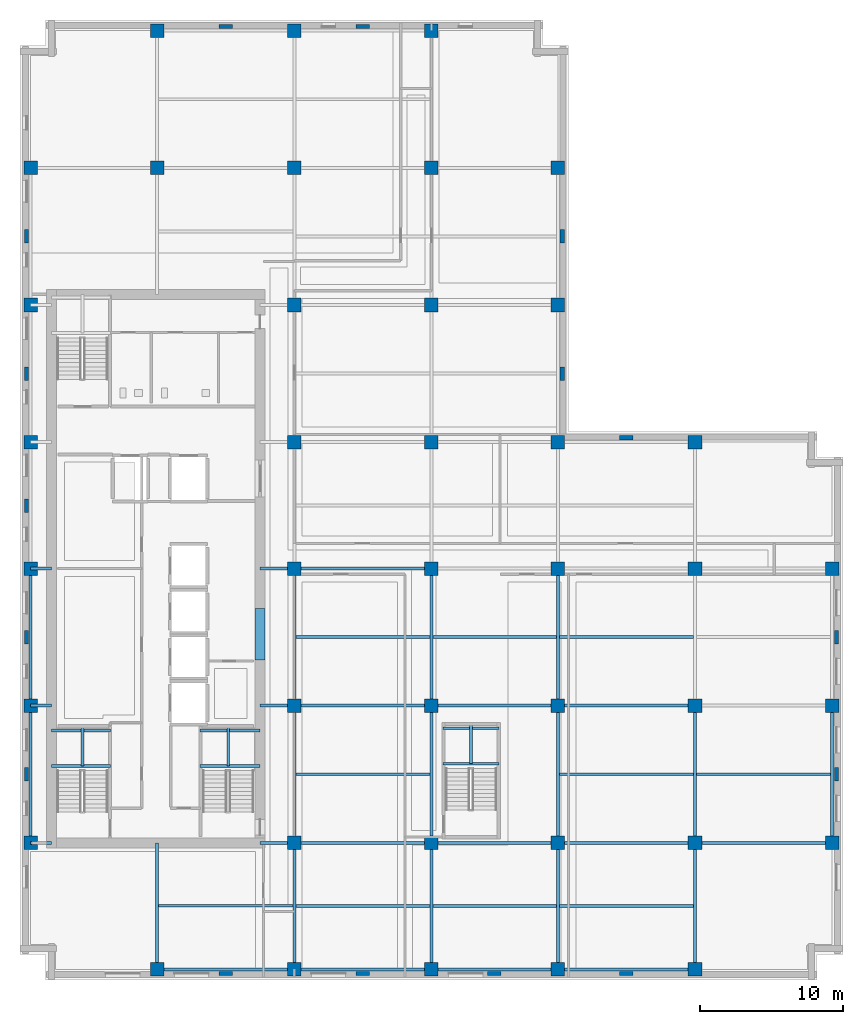
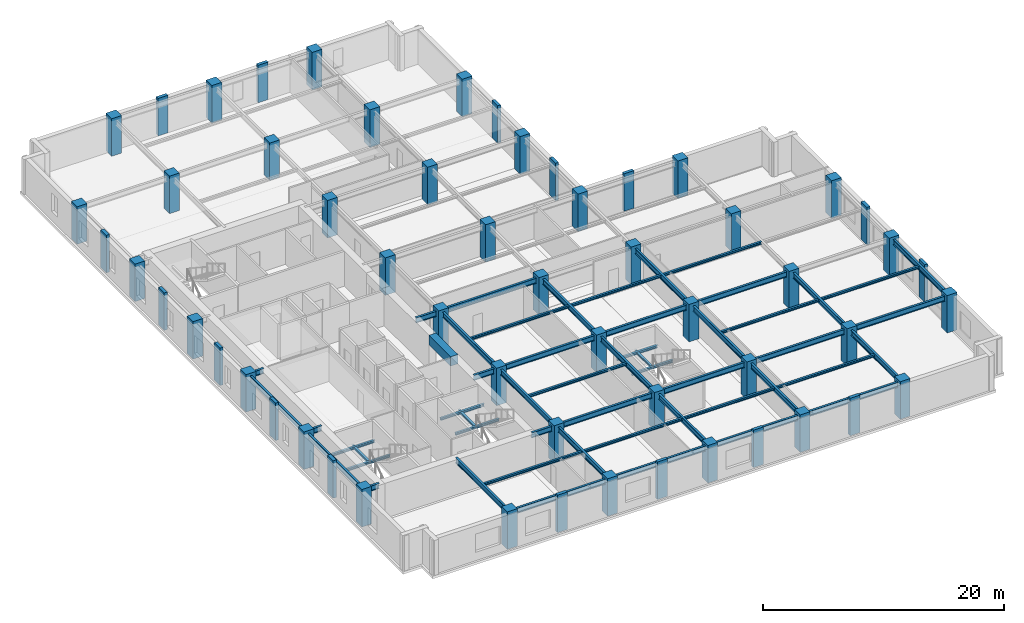
# One storey, part 1 of 12: 56 columns, 53 beams.
"""IFC4 building model written with IfcOpenShell, lengths in metres."""

from ifc_helpers import new_model, si_unit, direction, frame, origin, origin_2d, place, context, subcontext, project, spatial, rectangle, i_section, extrude, material, material_profile, profile_set, type_object, element, save


model = new_model("IFC4")

# Units and contexts
model_context = context("Model", 3, precision=1e-05, world=origin(), true_north=direction((0.0, 1.0)))
body_context = subcontext(model_context, "Body", "Model", "MODEL_VIEW")
ifc_project = project(units=[si_unit("LENGTHUNIT", "METRE"), si_unit("AREAUNIT", "SQUARE_METRE"), si_unit("VOLUMEUNIT", "CUBIC_METRE"), si_unit("PLANEANGLEUNIT", "RADIAN"), si_unit("MASSUNIT", "GRAM", prefix="KILO")], contexts=[model_context])

# Site, building, storey
site_placement = place(None, origin())
site = spatial("IfcSite", under=ifc_project, at=site_placement, CompositionType="ELEMENT")
building_placement = place(site_placement, origin())
building = spatial("IfcBuilding", under=site, at=building_placement, Name="Norrvale University Quadrangle", CompositionType="ELEMENT")
storey_placement = place(building_placement, frame((0.0, 0.0, 186.39990234375)))
storey = spatial("IfcBuildingStorey", under=building, at=storey_placement, Name="L47", CompositionType="ELEMENT", Elevation=186.39990234375)

# Columns
ifc_material_1 = material(Name="Red Manganese Brick Concrete C60/75", Category="concrete")
ifc_material_profile_1 = material_profile(ifc_material_1, rectangle(XDim=0.949951171875, YDim=0.300048828125, at=origin_2d()), Name="Red Manganese Brick Concrete C60/75")
ifc_profile_set_1 = profile_set([ifc_material_profile_1], Name="Red Manganese Brick Concrete C60/75")
column_type_1 = type_object("IfcColumnType", Name="Column Brick Pier 950x300", PredefinedType="PILASTER", material=ifc_profile_set_1)
for number, where, z_axis, x_axis, name in (
    (1, (0.449951171875, 14.39990234375, 0.0), (0.0, 0.0, 1.0), (0.0, 1.0, 0.0), "Exterior Brick Facade Pilaster L47-01"),
    (2, (0.449951171875, 24.0, 0.0), (0.0, 0.0, 1.0), (0.0, 1.0, 0.0), "Exterior Brick Facade Pilaster L47-02"),
    (3, (0.449951171875, 33.199951171875, 0.0), (0.0, 0.0, 1.0), (0.0, 1.0, 0.0), "Exterior Brick Facade Pilaster L47-03"),
    (4, (0.449951171875, 42.449951171875, 0.0), (0.0, 0.0, 1.0), (0.0, 1.0, 0.0), "Exterior Brick Facade Pilaster L47-04"),
    (5, (0.449951171875, 52.050048828125, 0.0), (0.0, 0.0, 1.0), (0.0, 1.0, 0.0), "Exterior Brick Facade Pilaster L47-05"),
    (6, (14.39990234375, 0.449951171875, 0.0), (0.0, 0.0, 1.0), (1.0, 0.0, 0.0), "Exterior Brick Facade Pilaster L47-06"),
    (7, (24.0, 0.449951171875, 0.0), (0.0, 0.0, 1.0), (1.0, 0.0, 0.0), "Exterior Brick Facade Pilaster L47-07"),
    (8, (33.199951171875, 0.449951171875, 0.0), (0.0, 0.0, 1.0), (1.0, 0.0, 0.0), "Exterior Brick Facade Pilaster L47-08"),
    (9, (42.449951171875, 0.449951171875, 0.0), (0.0, 0.0, 1.0), (1.0, 0.0, 0.0), "Exterior Brick Facade Pilaster L47-09"),
    (10, (57.14990234375, 14.39990234375, 0.0), (0.0, 0.0, 1.0), (0.0, 1.0, 0.0), "Exterior Brick Facade Pilaster L47-10"),
    (11, (57.14990234375, 24.0, 0.0), (0.0, 0.0, 1.0), (0.0, 1.0, 0.0), "Exterior Brick Facade Pilaster L47-11"),
    (12, (14.39990234375, 66.75, 0.0), (0.0, 0.0, 1.0), (1.0, 0.0, 0.0), "Exterior Brick Facade Pilaster L47-12"),
    (13, (24.0, 66.75, 0.0), (0.0, 0.0, 1.0), (1.0, 0.0, 0.0), "Exterior Brick Facade Pilaster L47-13"),
    (14, (37.949951171875, 42.449951171875, 0.0), (0.0, 0.0, 1.0), (0.0, 1.0, 0.0), "Exterior Brick Facade Pilaster L47-14"),
    (15, (37.949951171875, 52.050048828125, 0.0), (0.0, 0.0, 1.0), (0.0, 1.0, 0.0), "Exterior Brick Facade Pilaster L47-15"),
    (16, (42.449951171875, 37.949951171875, 0.0), (0.0, 0.0, 1.0), (1.0, 0.0, 0.0), "Exterior Brick Facade Pilaster L47-16"),
):
    element("IfcColumn", number, at=place(storey_placement, frame(where, z_axis=z_axis, x_axis=x_axis)), inside=storey, type_object=column_type_1, Name=name, PredefinedType="PILASTER", context=body_context, shape_type="SweptSolid", body=[
        extrude(rectangle(XDim=0.949951171875, YDim=0.300048828125, at=origin_2d()), origin(), (0.0, 0.0, 1.0), 3.800048828125),
    ])
ifc_material_2 = material(Name="Concrete C60/75", Category="concrete")
ifc_material_profile_2 = material_profile(ifc_material_2, rectangle(XDim=0.949951171875, YDim=0.949951171875, at=origin_2d()), Name="Concrete C60/75")
ifc_profile_set_2 = profile_set([ifc_material_profile_2], Name="Concrete C60/75")
column_type_2 = type_object("IfcColumnType", Name="Column Tower Z2 950x950", PredefinedType="COLUMN", material=ifc_profile_set_2)
for number, where, z_axis, x_axis, name in (
    (17, (0.75, 9.60009765625, 0.0), (0.0, 0.0, 1.0), (1.0, 0.0, 0.0), "Tower Column L47-T01"),
    (18, (0.75, 19.199951171875, 0.0), (0.0, 0.0, 1.0), (1.0, 0.0, 0.0), "Tower Column L47-T02"),
    (19, (0.75, 28.800048828125, 0.0), (0.0, 0.0, 1.0), (1.0, 0.0, 0.0), "Tower Column L47-T03"),
    (20, (0.75, 37.64990234375, 0.0), (0.0, 0.0, 1.0), (1.0, 0.0, 0.0), "Tower Column L47-T04"),
    (21, (0.75, 47.25, 0.0), (0.0, 0.0, 1.0), (1.0, 0.0, 0.0), "Tower Column L47-T05"),
    (22, (0.75, 56.85009765625, 0.0), (0.0, 0.0, 1.0), (1.0, 0.0, 0.0), "Tower Column L47-T06"),
    (23, (9.60009765625, 0.75, 0.0), (0.0, 0.0, 1.0), (1.0, 0.0, 0.0), "Tower Column L47-T07"),
    (24, (9.60009765625, 56.85009765625, 0.0), (0.0, 0.0, 1.0), (1.0, 0.0, 0.0), "Tower Column L47-T08"),
    (25, (9.60009765625, 66.449951171875, 0.0), (0.0, 0.0, 1.0), (1.0, 0.0, 0.0), "Tower Column L47-T09"),
    (26, (19.199951171875, 0.75, 0.0), (0.0, 0.0, 1.0), (1.0, 0.0, 0.0), "Tower Column L47-T10"),
    (27, (19.199951171875, 9.60009765625, 0.0), (0.0, 0.0, 1.0), (1.0, 0.0, 0.0), "Tower Column L47-T11"),
    (28, (19.199951171875, 19.199951171875, 0.0), (0.0, 0.0, 1.0), (1.0, 0.0, 0.0), "Tower Column L47-T12"),
    (29, (19.199951171875, 28.800048828125, 0.0), (0.0, 0.0, 1.0), (1.0, 0.0, 0.0), "Tower Column L47-T13"),
    (30, (19.199951171875, 37.64990234375, 0.0), (0.0, 0.0, 1.0), (1.0, 0.0, 0.0), "Tower Column L47-T14"),
    (31, (19.199951171875, 47.25, 0.0), (0.0, 0.0, 1.0), (1.0, 0.0, 0.0), "Tower Column L47-T15"),
    (32, (19.199951171875, 56.85009765625, 0.0), (0.0, 0.0, 1.0), (1.0, 0.0, 0.0), "Tower Column L47-T16"),
    (33, (19.199951171875, 66.449951171875, 0.0), (0.0, 0.0, 1.0), (1.0, 0.0, 0.0), "Tower Column L47-T17"),
    (34, (28.800048828125, 0.75, 0.0), (0.0, 0.0, 1.0), (1.0, 0.0, 0.0), "Tower Column L47-T18"),
    (35, (28.800048828125, 9.60009765625, 0.0), (0.0, 0.0, 1.0), (1.0, 0.0, 0.0), "Tower Column L47-T19"),
    (36, (28.800048828125, 19.199951171875, 0.0), (0.0, 0.0, 1.0), (1.0, 0.0, 0.0), "Tower Column L47-T20"),
    (37, (28.800048828125, 28.800048828125, 0.0), (0.0, 0.0, 1.0), (1.0, 0.0, 0.0), "Tower Column L47-T21"),
    (38, (28.800048828125, 37.64990234375, 0.0), (0.0, 0.0, 1.0), (1.0, 0.0, 0.0), "Tower Column L47-T22"),
    (39, (28.800048828125, 47.25, 0.0), (0.0, 0.0, 1.0), (1.0, 0.0, 0.0), "Tower Column L47-T23"),
    (40, (28.800048828125, 56.85009765625, 0.0), (0.0, 0.0, 1.0), (1.0, 0.0, 0.0), "Tower Column L47-T24"),
    (41, (28.800048828125, 66.449951171875, 0.0), (0.0, 0.0, 1.0), (1.0, 0.0, 0.0), "Tower Column L47-T25"),
    (42, (37.64990234375, 0.75, 0.0), (0.0, 0.0, 1.0), (1.0, 0.0, 0.0), "Tower Column L47-T26"),
    (43, (37.64990234375, 9.60009765625, 0.0), (0.0, 0.0, 1.0), (1.0, 0.0, 0.0), "Tower Column L47-T27"),
    (44, (37.64990234375, 19.199951171875, 0.0), (0.0, 0.0, 1.0), (1.0, 0.0, 0.0), "Tower Column L47-T28"),
    (45, (37.64990234375, 28.800048828125, 0.0), (0.0, 0.0, 1.0), (1.0, 0.0, 0.0), "Tower Column L47-T29"),
    (46, (37.64990234375, 37.64990234375, 0.0), (0.0, 0.0, 1.0), (1.0, 0.0, 0.0), "Tower Column L47-T30"),
    (47, (37.64990234375, 47.25, 0.0), (0.0, 0.0, 1.0), (1.0, 0.0, 0.0), "Tower Column L47-T31"),
    (48, (37.64990234375, 56.85009765625, 0.0), (0.0, 0.0, 1.0), (1.0, 0.0, 0.0), "Tower Column L47-T32"),
    (49, (47.25, 0.75, 0.0), (0.0, 0.0, 1.0), (1.0, 0.0, 0.0), "Tower Column L47-T33"),
    (50, (47.25, 9.60009765625, 0.0), (0.0, 0.0, 1.0), (1.0, 0.0, 0.0), "Tower Column L47-T34"),
    (51, (47.25, 19.199951171875, 0.0), (0.0, 0.0, 1.0), (1.0, 0.0, 0.0), "Tower Column L47-T35"),
    (52, (47.25, 28.800048828125, 0.0), (0.0, 0.0, 1.0), (1.0, 0.0, 0.0), "Tower Column L47-T36"),
    (53, (47.25, 37.64990234375, 0.0), (0.0, 0.0, 1.0), (1.0, 0.0, 0.0), "Tower Column L47-T37"),
    (54, (56.85009765625, 9.60009765625, 0.0), (0.0, 0.0, 1.0), (1.0, 0.0, 0.0), "Tower Column L47-T38"),
    (55, (56.85009765625, 19.199951171875, 0.0), (0.0, 0.0, 1.0), (1.0, 0.0, 0.0), "Tower Column L47-T39"),
    (56, (56.85009765625, 28.800048828125, 0.0), (0.0, 0.0, 1.0), (1.0, 0.0, 0.0), "Tower Column L47-T40"),
):
    element("IfcColumn", number, at=place(storey_placement, frame(where, z_axis=z_axis, x_axis=x_axis)), inside=storey, type_object=column_type_2, Name=name, PredefinedType="COLUMN", context=body_context, shape_type="SweptSolid", body=[
        extrude(rectangle(XDim=0.949951171875, YDim=0.949951171875, at=origin_2d()), origin(), (0.0, 0.0, 1.0), 3.800048828125),
    ])

# Beams
ifc_material_3 = material(Name="Concrete C80/95", Category="concrete")
ifc_material_profile_3 = material_profile(ifc_material_3, rectangle(XDim=0.699951171875, YDim=0.949951171875, at=origin_2d()), Name="Concrete C80/95")
ifc_profile_set_3 = profile_set([ifc_material_profile_3], Name="Concrete C80/95")
beam_type_1 = type_object("IfcBeamType", Name="Beam Core Link 700x950", PredefinedType="LINTEL", material=ifc_profile_set_3)
beam_1_placement = place(storey_placement, frame((16.800048828125, 22.39990234375, 3.065185546875), z_axis=(0.0, 1.0, 0.0), x_axis=(-1.0, 0.0, 0.0)))
element("IfcBeam", 57, at=beam_1_placement, inside=storey, type_object=beam_type_1, Name="Core Coupling Lintel Beam L47-1", PredefinedType="LINTEL", context=body_context, shape_type="SweptSolid", body=[
    extrude(rectangle(XDim=0.699951171875, YDim=0.949951171875, at=origin_2d()), origin(), (0.0, 0.0, 1.0), 3.60009765625),
])
ifc_material_4 = material(Name="Steel 350W", Category="steel")
ifc_material_profile_4 = material_profile(ifc_material_4, i_section(OverallWidth=0.208984375, OverallDepth=0.532958984375, WebThickness=0.01025390625, FlangeThickness=0.015625, FilletRadius=0.013916015625, at=origin_2d()), Name="Steel 350W")
ifc_profile_set_4 = profile_set([ifc_material_profile_4], Name="Steel 350W")
beam_type_2 = type_object("IfcBeamType", Name="Beam Floor W530x92", PredefinedType="JOIST", material=ifc_profile_set_4)
beam_2_placement = place(storey_placement, frame((9.60009765625, 0.75, 3.273681640625), z_axis=(1.0, 0.0, 0.0), x_axis=(0.0, 1.0, 0.0)))
element("IfcBeam", 58, at=beam_2_placement, inside=storey, type_object=beam_type_2, Name="Beam Floor W530x92 BM-L47-GX001", PredefinedType="JOIST", context=body_context, shape_type="SweptSolid", body=[
    extrude(i_section(OverallWidth=0.208984375, OverallDepth=0.532958984375, WebThickness=0.01025390625, FlangeThickness=0.015625, FilletRadius=0.013916015625, at=origin_2d()), origin(), (0.0, 0.0, 1.0), 9.599853515625),
])
beam_3_placement = place(storey_placement, frame((19.199951171875, 0.75, 3.273681640625), z_axis=(1.0, 0.0, 0.0), x_axis=(0.0, 1.0, 0.0)))
element("IfcBeam", 59, at=beam_3_placement, inside=storey, type_object=beam_type_2, Name="Beam Floor W530x92 BM-L47-GX002", PredefinedType="JOIST", context=body_context, shape_type="SweptSolid", body=[
    extrude(i_section(OverallWidth=0.208984375, OverallDepth=0.532958984375, WebThickness=0.01025390625, FlangeThickness=0.015625, FilletRadius=0.013916015625, at=origin_2d()), origin(), (0.0, 0.0, 1.0), 9.60009765625),
])
beam_4_placement = place(storey_placement, frame((28.800048828125, 0.75, 3.273681640625), z_axis=(1.0, 0.0, 0.0), x_axis=(0.0, 1.0, 0.0)))
element("IfcBeam", 60, at=beam_4_placement, inside=storey, type_object=beam_type_2, Name="Beam Floor W530x92 BM-L47-GX003", PredefinedType="JOIST", context=body_context, shape_type="SweptSolid", body=[
    extrude(i_section(OverallWidth=0.208984375, OverallDepth=0.532958984375, WebThickness=0.01025390625, FlangeThickness=0.015625, FilletRadius=0.013916015625, at=origin_2d()), origin(), (0.0, 0.0, 1.0), 8.849853515625),
])
for number, where, z_axis, x_axis, name in (
    (61, (37.64990234375, 0.75, 3.273681640625), (1.0, 0.0, 0.0), (0.0, 1.0, 0.0), "Beam Floor W530x92 BM-L47-GX004"),
    (62, (19.199951171875, 9.60009765625, 3.273681640625), (1.0, 0.0, 0.0), (0.0, 1.0, 0.0), "Beam Floor W530x92 BM-L47-GX005"),
):
    element("IfcBeam", number, at=place(storey_placement, frame(where, z_axis=z_axis, x_axis=x_axis)), inside=storey, type_object=beam_type_2, Name=name, PredefinedType="JOIST", context=body_context, shape_type="SweptSolid", body=[
        extrude(i_section(OverallWidth=0.208984375, OverallDepth=0.532958984375, WebThickness=0.01025390625, FlangeThickness=0.015625, FilletRadius=0.013916015625, at=origin_2d()), origin(), (0.0, 0.0, 1.0), 9.60009765625),
    ])
beam_5_placement = place(storey_placement, frame((28.800048828125, 9.60009765625, 3.273681640625), z_axis=(1.0, 0.0, 0.0), x_axis=(0.0, 1.0, 0.0)))
element("IfcBeam", 63, at=beam_5_placement, inside=storey, type_object=beam_type_2, Name="Beam Floor W530x92 BM-L47-GX006", PredefinedType="JOIST", context=body_context, shape_type="SweptSolid", body=[
    extrude(i_section(OverallWidth=0.208984375, OverallDepth=0.532958984375, WebThickness=0.01025390625, FlangeThickness=0.015625, FilletRadius=0.013916015625, at=origin_2d()), origin(), (0.0, 0.0, 1.0), 8.849853515625),
])
for number, where, z_axis, x_axis, name in (
    (64, (37.64990234375, 9.60009765625, 3.273681640625), (1.0, 0.0, 0.0), (0.0, 1.0, 0.0), "Beam Floor W530x92 BM-L47-GX007"),
    (65, (47.25, 9.60009765625, 3.273681640625), (1.0, 0.0, 0.0), (0.0, 1.0, 0.0), "Beam Floor W530x92 BM-L47-GX008"),
    (66, (19.199951171875, 19.199951171875, 3.273681640625), (1.0, 0.0, 0.0), (0.0, 1.0, 0.0), "Beam Floor W530x92 BM-L47-GX009"),
):
    element("IfcBeam", number, at=place(storey_placement, frame(where, z_axis=z_axis, x_axis=x_axis)), inside=storey, type_object=beam_type_2, Name=name, PredefinedType="JOIST", context=body_context, shape_type="SweptSolid", body=[
        extrude(i_section(OverallWidth=0.208984375, OverallDepth=0.532958984375, WebThickness=0.01025390625, FlangeThickness=0.015625, FilletRadius=0.013916015625, at=origin_2d()), origin(), (0.0, 0.0, 1.0), 9.60009765625),
    ])
beam_6_placement = place(storey_placement, frame((28.800048828125, 19.199951171875, 3.273681640625), z_axis=(1.0, 0.0, 0.0), x_axis=(0.0, 1.0, 0.0)))
element("IfcBeam", 67, at=beam_6_placement, inside=storey, type_object=beam_type_2, Name="Beam Floor W530x92 BM-L47-GX010", PredefinedType="JOIST", context=body_context, shape_type="SweptSolid", body=[
    extrude(i_section(OverallWidth=0.208984375, OverallDepth=0.532958984375, WebThickness=0.01025390625, FlangeThickness=0.015625, FilletRadius=0.013916015625, at=origin_2d()), origin(), (0.0, 0.0, 1.0), 8.849853515625),
])
for number, where, z_axis, x_axis, name in (
    (68, (37.64990234375, 19.199951171875, 3.273681640625), (1.0, 0.0, 0.0), (0.0, 1.0, 0.0), "Beam Floor W530x92 BM-L47-GX011"),
    (69, (19.199951171875, 28.800048828125, 3.273681640625), (1.0, 0.0, 0.0), (0.0, 1.0, 0.0), "Beam Floor W530x92 BM-L47-GX013"),
):
    element("IfcBeam", number, at=place(storey_placement, frame(where, z_axis=z_axis, x_axis=x_axis)), inside=storey, type_object=beam_type_2, Name=name, PredefinedType="JOIST", context=body_context, shape_type="SweptSolid", body=[
        extrude(i_section(OverallWidth=0.208984375, OverallDepth=0.532958984375, WebThickness=0.01025390625, FlangeThickness=0.015625, FilletRadius=0.013916015625, at=origin_2d()), origin(), (0.0, 0.0, 1.0), 9.60009765625),
    ])
beam_7_placement = place(storey_placement, frame((0.75, 9.60009765625, 3.273681640625), z_axis=(0.0, 1.0, 0.0), x_axis=(-1.0, 0.0, 0.0)))
element("IfcBeam", 70, at=beam_7_placement, inside=storey, type_object=beam_type_2, Name="Beam Floor W530x92 BM-L47-GY028", PredefinedType="JOIST", context=body_context, shape_type="SweptSolid", body=[
    extrude(i_section(OverallWidth=0.208984375, OverallDepth=0.532958984375, WebThickness=0.01025390625, FlangeThickness=0.015625, FilletRadius=0.013916015625, at=origin_2d()), origin(), (0.0, 0.0, 1.0), 9.599853515625),
])
beam_8_placement = place(storey_placement, frame((0.75, 19.199951171875, 3.273681640625), z_axis=(0.0, 1.0, 0.0), x_axis=(-1.0, 0.0, 0.0)))
element("IfcBeam", 71, at=beam_8_placement, inside=storey, type_object=beam_type_2, Name="Beam Floor W530x92 BM-L47-GY029", PredefinedType="JOIST", context=body_context, shape_type="SweptSolid", body=[
    extrude(i_section(OverallWidth=0.208984375, OverallDepth=0.532958984375, WebThickness=0.01025390625, FlangeThickness=0.015625, FilletRadius=0.013916015625, at=origin_2d()), origin(), (0.0, 0.0, 1.0), 9.60009765625),
])
beam_9_placement = place(storey_placement, frame((19.199951171875, 0.75, 3.273681640625), z_axis=(0.0, 1.0, 0.0), x_axis=(-1.0, 0.0, 0.0)))
element("IfcBeam", 72, at=beam_9_placement, inside=storey, type_object=beam_type_2, Name="Beam Floor W530x92 BM-L47-GY034", PredefinedType="JOIST", context=body_context, shape_type="SweptSolid", body=[
    extrude(i_section(OverallWidth=0.208984375, OverallDepth=0.532958984375, WebThickness=0.01025390625, FlangeThickness=0.015625, FilletRadius=0.013916015625, at=origin_2d()), origin(), (0.0, 0.0, 1.0), 8.85009765625),
])
beam_10_placement = place(storey_placement, frame((19.199951171875, 9.60009765625, 3.273681640625), z_axis=(0.0, 1.0, 0.0), x_axis=(-1.0, 0.0, 0.0)))
element("IfcBeam", 73, at=beam_10_placement, inside=storey, type_object=beam_type_2, Name="Beam Floor W530x92 BM-L47-GY035", PredefinedType="JOIST", context=body_context, shape_type="SweptSolid", body=[
    extrude(i_section(OverallWidth=0.208984375, OverallDepth=0.532958984375, WebThickness=0.01025390625, FlangeThickness=0.015625, FilletRadius=0.013916015625, at=origin_2d()), origin(), (0.0, 0.0, 1.0), 9.599853515625),
])
beam_11_placement = place(storey_placement, frame((19.199951171875, 19.199951171875, 3.273681640625), z_axis=(0.0, 1.0, 0.0), x_axis=(-1.0, 0.0, 0.0)))
element("IfcBeam", 74, at=beam_11_placement, inside=storey, type_object=beam_type_2, Name="Beam Floor W530x92 BM-L47-GY036", PredefinedType="JOIST", context=body_context, shape_type="SweptSolid", body=[
    extrude(i_section(OverallWidth=0.208984375, OverallDepth=0.532958984375, WebThickness=0.01025390625, FlangeThickness=0.015625, FilletRadius=0.013916015625, at=origin_2d()), origin(), (0.0, 0.0, 1.0), 9.60009765625),
])
beam_12_placement = place(storey_placement, frame((28.800048828125, 0.75, 3.273681640625), z_axis=(0.0, 1.0, 0.0), x_axis=(-1.0, 0.0, 0.0)))
element("IfcBeam", 75, at=beam_12_placement, inside=storey, type_object=beam_type_2, Name="Beam Floor W530x92 BM-L47-GY041", PredefinedType="JOIST", context=body_context, shape_type="SweptSolid", body=[
    extrude(i_section(OverallWidth=0.208984375, OverallDepth=0.532958984375, WebThickness=0.01025390625, FlangeThickness=0.015625, FilletRadius=0.013916015625, at=origin_2d()), origin(), (0.0, 0.0, 1.0), 8.85009765625),
])
beam_13_placement = place(storey_placement, frame((28.800048828125, 9.60009765625, 3.273681640625), z_axis=(0.0, 1.0, 0.0), x_axis=(-1.0, 0.0, 0.0)))
element("IfcBeam", 76, at=beam_13_placement, inside=storey, type_object=beam_type_2, Name="Beam Floor W530x92 BM-L47-GY042", PredefinedType="JOIST", context=body_context, shape_type="SweptSolid", body=[
    extrude(i_section(OverallWidth=0.208984375, OverallDepth=0.532958984375, WebThickness=0.01025390625, FlangeThickness=0.015625, FilletRadius=0.013916015625, at=origin_2d()), origin(), (0.0, 0.0, 1.0), 9.599853515625),
])
beam_14_placement = place(storey_placement, frame((28.800048828125, 19.199951171875, 3.273681640625), z_axis=(0.0, 1.0, 0.0), x_axis=(-1.0, 0.0, 0.0)))
element("IfcBeam", 77, at=beam_14_placement, inside=storey, type_object=beam_type_2, Name="Beam Floor W530x92 BM-L47-GY043", PredefinedType="JOIST", context=body_context, shape_type="SweptSolid", body=[
    extrude(i_section(OverallWidth=0.208984375, OverallDepth=0.532958984375, WebThickness=0.01025390625, FlangeThickness=0.015625, FilletRadius=0.013916015625, at=origin_2d()), origin(), (0.0, 0.0, 1.0), 9.60009765625),
])
beam_15_placement = place(storey_placement, frame((37.64990234375, 0.75, 3.273681640625), z_axis=(0.0, 1.0, 0.0), x_axis=(-1.0, 0.0, 0.0)))
element("IfcBeam", 78, at=beam_15_placement, inside=storey, type_object=beam_type_2, Name="Beam Floor W530x92 BM-L47-GY048", PredefinedType="JOIST", context=body_context, shape_type="SweptSolid", body=[
    extrude(i_section(OverallWidth=0.208984375, OverallDepth=0.532958984375, WebThickness=0.01025390625, FlangeThickness=0.015625, FilletRadius=0.013916015625, at=origin_2d()), origin(), (0.0, 0.0, 1.0), 8.85009765625),
])
beam_16_placement = place(storey_placement, frame((37.64990234375, 9.60009765625, 3.273681640625), z_axis=(0.0, 1.0, 0.0), x_axis=(-1.0, 0.0, 0.0)))
element("IfcBeam", 79, at=beam_16_placement, inside=storey, type_object=beam_type_2, Name="Beam Floor W530x92 BM-L47-GY049", PredefinedType="JOIST", context=body_context, shape_type="SweptSolid", body=[
    extrude(i_section(OverallWidth=0.208984375, OverallDepth=0.532958984375, WebThickness=0.01025390625, FlangeThickness=0.015625, FilletRadius=0.013916015625, at=origin_2d()), origin(), (0.0, 0.0, 1.0), 9.599853515625),
])
beam_17_placement = place(storey_placement, frame((37.64990234375, 19.199951171875, 3.273681640625), z_axis=(0.0, 1.0, 0.0), x_axis=(-1.0, 0.0, 0.0)))
element("IfcBeam", 80, at=beam_17_placement, inside=storey, type_object=beam_type_2, Name="Beam Floor W530x92 BM-L47-GY050", PredefinedType="JOIST", context=body_context, shape_type="SweptSolid", body=[
    extrude(i_section(OverallWidth=0.208984375, OverallDepth=0.532958984375, WebThickness=0.01025390625, FlangeThickness=0.015625, FilletRadius=0.013916015625, at=origin_2d()), origin(), (0.0, 0.0, 1.0), 9.60009765625),
])
beam_18_placement = place(storey_placement, frame((47.25, 0.75, 3.273681640625), z_axis=(0.0, 1.0, 0.0), x_axis=(-1.0, 0.0, 0.0)))
element("IfcBeam", 81, at=beam_18_placement, inside=storey, type_object=beam_type_2, Name="Beam Floor W530x92 BM-L47-GY054", PredefinedType="JOIST", context=body_context, shape_type="SweptSolid", body=[
    extrude(i_section(OverallWidth=0.208984375, OverallDepth=0.532958984375, WebThickness=0.01025390625, FlangeThickness=0.015625, FilletRadius=0.013916015625, at=origin_2d()), origin(), (0.0, 0.0, 1.0), 8.85009765625),
])
for number, where, z_axis, x_axis, name in (
    (82, (47.25, 9.60009765625, 3.273681640625), (0.0, 1.0, 0.0), (-1.0, 0.0, 0.0), "Beam Floor W530x92 BM-L47-GY055"),
    (83, (56.85009765625, 9.60009765625, 3.273681640625), (0.0, 1.0, 0.0), (-1.0, 0.0, 0.0), "Beam Floor W530x92 BM-L47-GY058"),
):
    element("IfcBeam", number, at=place(storey_placement, frame(where, z_axis=z_axis, x_axis=x_axis)), inside=storey, type_object=beam_type_2, Name=name, PredefinedType="JOIST", context=body_context, shape_type="SweptSolid", body=[
        extrude(i_section(OverallWidth=0.208984375, OverallDepth=0.532958984375, WebThickness=0.01025390625, FlangeThickness=0.015625, FilletRadius=0.013916015625, at=origin_2d()), origin(), (0.0, 0.0, 1.0), 9.599853515625),
    ])
beam_19_placement = place(storey_placement, frame((0.75, 9.60009765625, 3.273681640625), z_axis=(1.0, 0.0, 0.0), x_axis=(0.0, 1.0, 0.0)))
element("IfcBeam", 84, at=beam_19_placement, inside=storey, type_object=beam_type_2, Name="Beam Floor W530x92 BM-L47-GCW060", PredefinedType="JOIST", context=body_context, shape_type="SweptSolid", body=[
    extrude(i_section(OverallWidth=0.208984375, OverallDepth=0.532958984375, WebThickness=0.01025390625, FlangeThickness=0.015625, FilletRadius=0.013916015625, at=origin_2d()), origin(), (0.0, 0.0, 1.0), 1.449951171875),
])
beam_20_placement = place(storey_placement, frame((16.800048828125, 9.60009765625, 3.273681640625), z_axis=(1.0, 0.0, 0.0), x_axis=(0.0, 1.0, 0.0)))
element("IfcBeam", 85, at=beam_20_placement, inside=storey, type_object=beam_type_2, Name="Beam Floor W530x92 BM-L47-GCE061", PredefinedType="JOIST", context=body_context, shape_type="SweptSolid", body=[
    extrude(i_section(OverallWidth=0.208984375, OverallDepth=0.532958984375, WebThickness=0.01025390625, FlangeThickness=0.015625, FilletRadius=0.013916015625, at=origin_2d()), origin(), (0.0, 0.0, 1.0), 2.39990234375),
])
beam_21_placement = place(storey_placement, frame((0.75, 19.199951171875, 3.273681640625), z_axis=(1.0, 0.0, 0.0), x_axis=(0.0, 1.0, 0.0)))
element("IfcBeam", 86, at=beam_21_placement, inside=storey, type_object=beam_type_2, Name="Beam Floor W530x92 BM-L47-GCW062", PredefinedType="JOIST", context=body_context, shape_type="SweptSolid", body=[
    extrude(i_section(OverallWidth=0.208984375, OverallDepth=0.532958984375, WebThickness=0.01025390625, FlangeThickness=0.015625, FilletRadius=0.013916015625, at=origin_2d()), origin(), (0.0, 0.0, 1.0), 1.449951171875),
])
beam_22_placement = place(storey_placement, frame((16.800048828125, 19.199951171875, 3.273681640625), z_axis=(1.0, 0.0, 0.0), x_axis=(0.0, 1.0, 0.0)))
element("IfcBeam", 87, at=beam_22_placement, inside=storey, type_object=beam_type_2, Name="Beam Floor W530x92 BM-L47-GCE063", PredefinedType="JOIST", context=body_context, shape_type="SweptSolid", body=[
    extrude(i_section(OverallWidth=0.208984375, OverallDepth=0.532958984375, WebThickness=0.01025390625, FlangeThickness=0.015625, FilletRadius=0.013916015625, at=origin_2d()), origin(), (0.0, 0.0, 1.0), 2.39990234375),
])
beam_23_placement = place(storey_placement, frame((0.75, 28.800048828125, 3.273681640625), z_axis=(1.0, 0.0, 0.0), x_axis=(0.0, 1.0, 0.0)))
element("IfcBeam", 88, at=beam_23_placement, inside=storey, type_object=beam_type_2, Name="Beam Floor W530x92 BM-L47-GCW064", PredefinedType="JOIST", context=body_context, shape_type="SweptSolid", body=[
    extrude(i_section(OverallWidth=0.208984375, OverallDepth=0.532958984375, WebThickness=0.01025390625, FlangeThickness=0.015625, FilletRadius=0.013916015625, at=origin_2d()), origin(), (0.0, 0.0, 1.0), 1.449951171875),
])
beam_24_placement = place(storey_placement, frame((16.800048828125, 28.800048828125, 3.273681640625), z_axis=(1.0, 0.0, 0.0), x_axis=(0.0, 1.0, 0.0)))
element("IfcBeam", 89, at=beam_24_placement, inside=storey, type_object=beam_type_2, Name="Beam Floor W530x92 BM-L47-GCE065", PredefinedType="JOIST", context=body_context, shape_type="SweptSolid", body=[
    extrude(i_section(OverallWidth=0.208984375, OverallDepth=0.532958984375, WebThickness=0.01025390625, FlangeThickness=0.015625, FilletRadius=0.013916015625, at=origin_2d()), origin(), (0.0, 0.0, 1.0), 2.39990234375),
])
beam_25_placement = place(storey_placement, frame((9.60009765625, 0.75, 3.273681640625), z_axis=(0.0, 1.0, 0.0), x_axis=(-1.0, 0.0, 0.0)))
element("IfcBeam", 90, at=beam_25_placement, inside=storey, type_object=beam_type_2, Name="Beam Floor W530x92 BM-L47-GCS089", PredefinedType="JOIST", context=body_context, shape_type="SweptSolid", body=[
    extrude(i_section(OverallWidth=0.208984375, OverallDepth=0.532958984375, WebThickness=0.01025390625, FlangeThickness=0.015625, FilletRadius=0.013916015625, at=origin_2d()), origin(), (0.0, 0.0, 1.0), 8.85009765625),
])
ifc_material_profile_5 = material_profile(ifc_material_4, i_section(OverallWidth=0.201904296875, OverallDepth=0.2470703125, WebThickness=0.00732421875, FlangeThickness=0.010986328125, FilletRadius=0.011962890625, at=origin_2d()), Name="Steel 350W")
ifc_profile_set_5 = profile_set([ifc_material_profile_5], Name="Steel 350W")
beam_type_3 = type_object("IfcBeamType", Name="Beam Stair W250x49", PredefinedType="BEAM", material=ifc_profile_set_5)
for number, where, z_axis, x_axis, name in (
    (91, (19.304443359375, 5.175048828125, 3.41650390625), (1.0, 0.0, 0.0), (0.0, 1.0, 0.0), "Beam Stair W250x49 BM-L47-J071"),
    (92, (19.304443359375, 14.39990234375, 3.41650390625), (1.0, 0.0, 0.0), (0.0, 1.0, 0.0), "Beam Stair W250x49 BM-L47-J072"),
    (93, (19.304443359375, 24.0, 3.41650390625), (1.0, 0.0, 0.0), (0.0, 1.0, 0.0), "Beam Stair W250x49 BM-L47-J073"),
):
    element("IfcBeam", number, at=place(storey_placement, frame(where, z_axis=z_axis, x_axis=x_axis)), inside=storey, type_object=beam_type_3, Name=name, PredefinedType="BEAM", context=body_context, shape_type="SweptSolid", body=[
        extrude(i_section(OverallWidth=0.201904296875, OverallDepth=0.2470703125, WebThickness=0.00732421875, FlangeThickness=0.010986328125, FilletRadius=0.011962890625, at=origin_2d()), origin(), (0.0, 0.0, 1.0), 9.39111328125),
    ])
for number, where, z_axis, x_axis, name in (
    (94, (28.904541015625, 5.175048828125, 3.41650390625), (1.0, 0.0, 0.0), (0.0, 1.0, 0.0), "Beam Stair W250x49 BM-L47-J078"),
    (95, (28.904541015625, 24.0, 3.41650390625), (1.0, 0.0, 0.0), (0.0, 1.0, 0.0), "Beam Stair W250x49 BM-L47-J079"),
):
    element("IfcBeam", number, at=place(storey_placement, frame(where, z_axis=z_axis, x_axis=x_axis)), inside=storey, type_object=beam_type_3, Name=name, PredefinedType="BEAM", context=body_context, shape_type="SweptSolid", body=[
        extrude(i_section(OverallWidth=0.201904296875, OverallDepth=0.2470703125, WebThickness=0.00732421875, FlangeThickness=0.010986328125, FilletRadius=0.011962890625, at=origin_2d()), origin(), (0.0, 0.0, 1.0), 8.640869140625),
    ])
for number, where, z_axis, x_axis, name in (
    (96, (37.75439453125, 5.175048828125, 3.41650390625), (1.0, 0.0, 0.0), (0.0, 1.0, 0.0), "Beam Stair W250x49 BM-L47-J083"),
    (97, (37.75439453125, 14.39990234375, 3.41650390625), (1.0, 0.0, 0.0), (0.0, 1.0, 0.0), "Beam Stair W250x49 BM-L47-J084"),
    (98, (37.75439453125, 24.0, 3.41650390625), (1.0, 0.0, 0.0), (0.0, 1.0, 0.0), "Beam Stair W250x49 BM-L47-J085"),
    (99, (47.3544921875, 14.39990234375, 3.41650390625), (1.0, 0.0, 0.0), (0.0, 1.0, 0.0), "Beam Stair W250x49 BM-L47-J087"),
):
    element("IfcBeam", number, at=place(storey_placement, frame(where, z_axis=z_axis, x_axis=x_axis)), inside=storey, type_object=beam_type_3, Name=name, PredefinedType="BEAM", context=body_context, shape_type="SweptSolid", body=[
        extrude(i_section(OverallWidth=0.201904296875, OverallDepth=0.2470703125, WebThickness=0.00732421875, FlangeThickness=0.010986328125, FilletRadius=0.011962890625, at=origin_2d()), origin(), (0.0, 0.0, 1.0), 9.39111328125),
    ])
beam_26_placement = place(storey_placement, frame((9.70458984375, 5.199951171875, 3.41650390625), z_axis=(1.0, 0.0, 0.0), x_axis=(0.0, 1.0, 0.0)))
element("IfcBeam", 100, at=beam_26_placement, inside=storey, type_object=beam_type_3, Name="Beam Stair W250x49 BM-L47-JCS090", PredefinedType="BEAM", context=body_context, shape_type="SweptSolid", body=[
    extrude(i_section(OverallWidth=0.201904296875, OverallDepth=0.2470703125, WebThickness=0.00732421875, FlangeThickness=0.010986328125, FilletRadius=0.011962890625, at=origin_2d()), origin(), (0.0, 0.0, 1.0), 9.390869140625),
])
for number, where, z_axis, x_axis, name in (
    (101, (2.199951171875, 14.989990234375, 1.57666015625), (1.0, 0.0, 0.0), (0.0, 1.0, 0.0), "Stair Mid-Landing Front Beam ST-01 L47"),
    (102, (2.199951171875, 17.469970703125, 1.57666015625), (1.0, 0.0, 0.0), (0.0, 1.0, 0.0), "Stair Mid-Landing Rear Beam ST-01 L47"),
):
    element("IfcBeam", number, at=place(storey_placement, frame(where, z_axis=z_axis, x_axis=x_axis)), inside=storey, type_object=beam_type_3, Name=name, PredefinedType="BEAM", context=body_context, shape_type="SweptSolid", body=[
        extrude(i_section(OverallWidth=0.201904296875, OverallDepth=0.2470703125, WebThickness=0.00732421875, FlangeThickness=0.010986328125, FilletRadius=0.011962890625, at=origin_2d()), origin(), (0.0, 0.0, 1.0), 4.14013671875),
    ])
for number, where, z_axis, x_axis, name in (
    (103, (12.610107421875, 14.989990234375, 1.57666015625), (1.0, 0.0, 0.0), (0.0, 1.0, 0.0), "Stair Mid-Landing Front Beam ST-03 L47"),
    (104, (12.610107421875, 17.469970703125, 1.57666015625), (1.0, 0.0, 0.0), (0.0, 1.0, 0.0), "Stair Mid-Landing Rear Beam ST-03 L47"),
):
    element("IfcBeam", number, at=place(storey_placement, frame(where, z_axis=z_axis, x_axis=x_axis)), inside=storey, type_object=beam_type_3, Name=name, PredefinedType="BEAM", context=body_context, shape_type="SweptSolid", body=[
        extrude(i_section(OverallWidth=0.201904296875, OverallDepth=0.2470703125, WebThickness=0.00732421875, FlangeThickness=0.010986328125, FilletRadius=0.011962890625, at=origin_2d()), origin(), (0.0, 0.0, 1.0), 4.18994140625),
    ])
for number, where, z_axis, x_axis, name in (
    (105, (29.610107421875, 15.139892578125, 1.57666015625), (1.0, 0.0, 0.0), (0.0, 1.0, 0.0), "Stair Mid-Landing Front Beam ST-04 L47"),
    (106, (29.610107421875, 17.6201171875, 1.57666015625), (1.0, 0.0, 0.0), (0.0, 1.0, 0.0), "Stair Mid-Landing Rear Beam ST-04 L47"),
):
    element("IfcBeam", number, at=place(storey_placement, frame(where, z_axis=z_axis, x_axis=x_axis)), inside=storey, type_object=beam_type_3, Name=name, PredefinedType="BEAM", context=body_context, shape_type="SweptSolid", body=[
        extrude(i_section(OverallWidth=0.201904296875, OverallDepth=0.2470703125, WebThickness=0.00732421875, FlangeThickness=0.010986328125, FilletRadius=0.011962890625, at=origin_2d()), origin(), (0.0, 0.0, 1.0), 3.929931640625),
    ])
ifc_material_profile_6 = material_profile(ifc_material_4, i_section(OverallWidth=0.202880859375, OverallDepth=0.202880859375, WebThickness=0.007080078125, FlangeThickness=0.010986328125, FilletRadius=0.010009765625, at=origin_2d()), Name="Steel 350W")
ifc_profile_set_6 = profile_set([ifc_material_profile_6], Name="Steel 350W")
beam_type_4 = type_object("IfcBeamType", Name="Beam Trim W200x46", PredefinedType="BEAM", material=ifc_profile_set_6)
for number, where, z_axis, x_axis, name in (
    (107, (4.375, 14.989990234375, 1.5986328125), (0.0, 1.0, 0.0), (-1.0, 0.0, 0.0), "Stair Mid-Landing Cross Beam ST-01 L47"),
    (108, (14.574951171875, 14.989990234375, 1.5986328125), (0.0, 1.0, 0.0), (-1.0, 0.0, 0.0), "Stair Mid-Landing Cross Beam ST-03 L47"),
    (109, (31.574951171875, 15.139892578125, 1.5986328125), (0.0, 1.0, 0.0), (-1.0, 0.0, 0.0), "Stair Mid-Landing Cross Beam ST-04 L47"),
):
    element("IfcBeam", number, at=place(storey_placement, frame(where, z_axis=z_axis, x_axis=x_axis)), inside=storey, type_object=beam_type_4, Name=name, PredefinedType="BEAM", context=body_context, shape_type="SweptSolid", body=[
        extrude(i_section(OverallWidth=0.202880859375, OverallDepth=0.202880859375, WebThickness=0.007080078125, FlangeThickness=0.010986328125, FilletRadius=0.010009765625, at=origin_2d()), origin(), (0.0, 0.0, 1.0), 2.800048828125),
    ])

save(model, "model.ifc")
